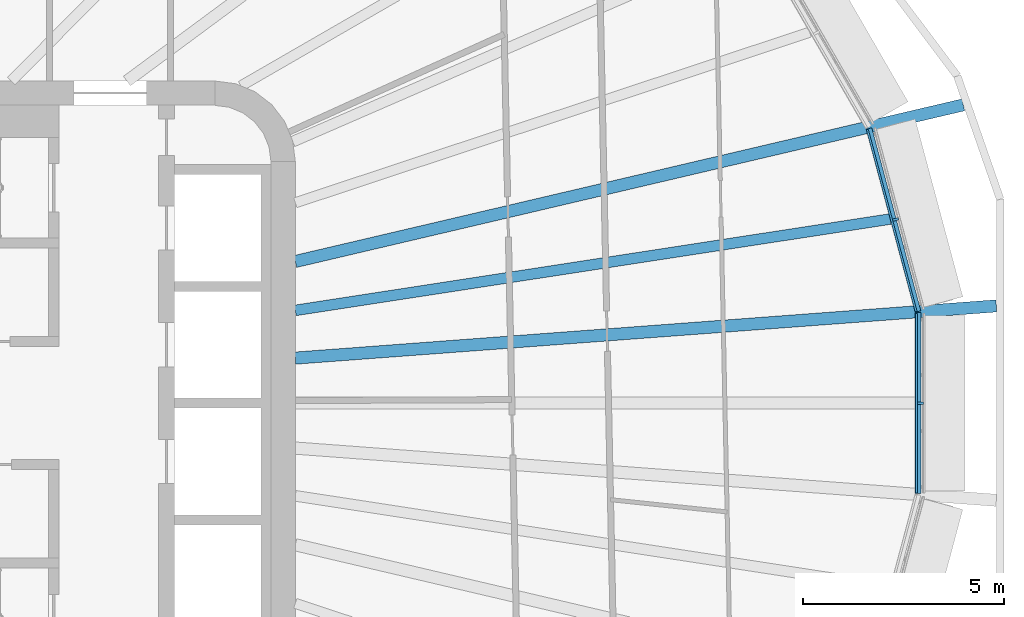
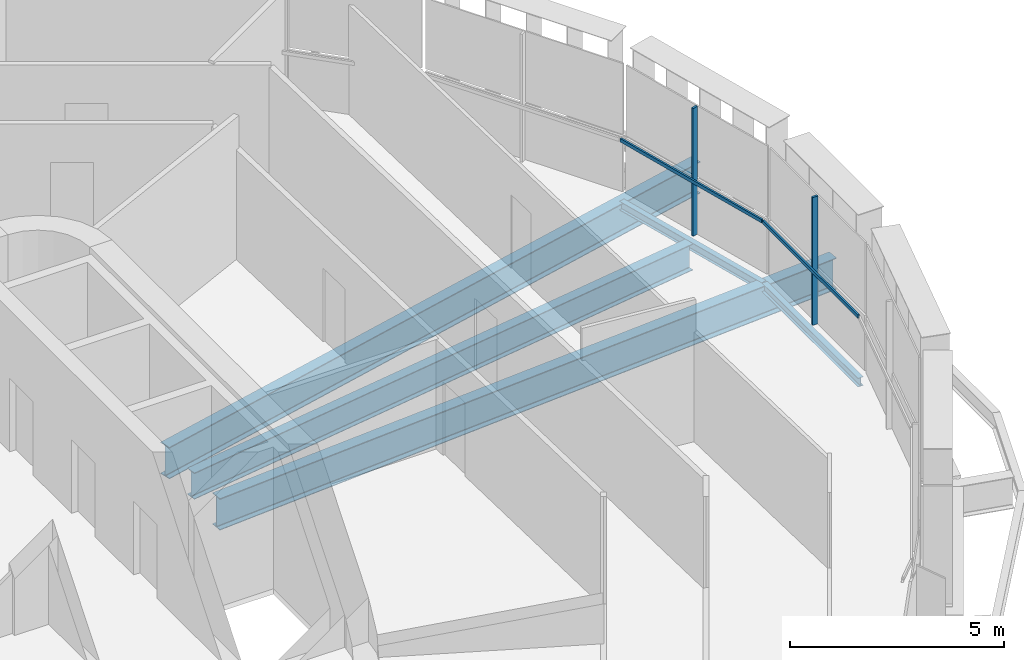
# One storey, part 6 of 24: 5 beams, 4 members, 2 elements without a shape of their own.
"""IFC4 building model written with IfcOpenShell, lengths in metres."""

import ifcopenshell
import ifcopenshell.guid

model = None  # the IFC model being written
_history = None  # IfcOwnerHistory: only IFC2X3 demands one
_inside = {}  # id of a spatial element -> (the spatial element, [elements in it])
_under = {}  # id of a project, library or spatial element -> (it, [spatial elements below it])
_declared = {}  # id of a project -> (the project, [libraries it declares])
_typed = {}  # id of a type object -> (the type object, [elements of that type])
_made_of = {}  # id of a material, layer set ... -> (it, [elements and type objects made of it])


def new_model(schema):
    """Start an empty IFC model of exactly this schema.

    Asked for "IFC4X3", IfcOpenShell would pick the latest addendum, in which some entities
    have other attributes; the version numbers below select the first issue.
    IFC2X3 requires an IfcOwnerHistory on every rooted entity: one is made here for all.
    """
    global model, _history
    if schema == "IFC4X3":
        model = ifcopenshell.file(schema_version=(4, 3, 0, 0))
    else:
        model = ifcopenshell.file(schema=schema)
    _inside.clear()
    _under.clear()
    _declared.clear()
    _typed.clear()
    _made_of.clear()
    _history = None
    if model.schema == "IFC2X3":
        org = make("IfcOrganization", Name="unknown")
        user = make(
            "IfcPersonAndOrganization",
            ThePerson=make("IfcPerson", FamilyName="unknown"),
            TheOrganization=org,
        )
        app = make(
            "IfcApplication",
            ApplicationDeveloper=org,
            Version="unknown",
            ApplicationFullName="unknown",
            ApplicationIdentifier="unknown",
        )
        _history = make(
            "IfcOwnerHistory",
            OwningUser=user,
            OwningApplication=app,
            ChangeAction="ADDED",
            CreationDate=0,
        )
    return model


def make(cls, **values):
    """One entity of the class cls with the attributes given. An attribute that is None is left unset."""
    return model.create_entity(
        cls, **{name: value for name, value in values.items() if value is not None}
    )


def rooted(cls, **values):
    """An entity with a GlobalId (a new one), such as an element, a storey or a relation."""
    return make(cls, GlobalId=ifcopenshell.guid.new(), OwnerHistory=_history, **values)


def si_unit(unit_type, name, prefix=None):
    """IfcSIUnit, for example si_unit("LENGTHUNIT", "METRE", prefix="MILLI")."""
    return make("IfcSIUnit", UnitType=unit_type, Prefix=prefix, Name=name)


def assignment(units):
    """IfcUnitAssignment: the units of a project."""
    return None if units is None else make("IfcUnitAssignment", Units=units)


def point(xyz):
    """IfcCartesianPoint."""
    return None if xyz is None else make("IfcCartesianPoint", Coordinates=xyz)


def direction(xyz):
    """IfcDirection."""
    return None if xyz is None else make("IfcDirection", DirectionRatios=xyz)


def frame(location, z_axis=None, x_axis=None):
    """IfcAxis2Placement3D, a coordinate frame: its origin and axes. An axis left out is left unset."""
    return make(
        "IfcAxis2Placement3D",
        Location=point(location),
        Axis=direction(z_axis),
        RefDirection=direction(x_axis),
    )


def frame_2d(location, x_axis=None):
    """IfcAxis2Placement2D, a coordinate frame in the plane: its origin and x axis."""
    return make(
        "IfcAxis2Placement2D", Location=point(location), RefDirection=direction(x_axis)
    )


def origin():
    """The frame at (0, 0, 0) with its axes left unset."""
    return frame((0.0, 0.0, 0.0))


def origin_2d():
    """The frame at (0, 0) in the plane with its x axis left unset."""
    return frame_2d((0.0, 0.0))


def place(relative_to, where):
    """IfcLocalPlacement: puts the frame where relative to a parent placement (None: the world)."""
    return make(
        "IfcLocalPlacement", PlacementRelTo=relative_to, RelativePlacement=where
    )


def context(
    kind, dimensions, precision=None, world=None, true_north=None, identifier=None
):
    """IfcGeometricRepresentationContext, for example the 3D "Model" context."""
    return make(
        "IfcGeometricRepresentationContext",
        ContextIdentifier=identifier,
        ContextType=kind,
        CoordinateSpaceDimension=dimensions,
        Precision=precision,
        WorldCoordinateSystem=world,
        TrueNorth=true_north,
    )


def subcontext(parent, identifier, kind, view, scale=None):
    """IfcGeometricRepresentationSubContext, for example "Body" below "Model"."""
    return make(
        "IfcGeometricRepresentationSubContext",
        ContextIdentifier=identifier,
        ContextType=kind,
        ParentContext=parent,
        TargetScale=scale,
        TargetView=view,
    )


def project(units=None, contexts=None):
    """IfcProject with its units and contexts."""
    return rooted(
        "IfcProject",
        Name="project",
        RepresentationContexts=contexts,
        UnitsInContext=assignment(units),
    )


def spatial(cls, under=None, at=None, **own):
    """A site, building, storey or space (cls), placed at a placement, below another one or the project."""
    s = rooted(cls, ObjectPlacement=at, **own)
    if under is not None:
        _under.setdefault(under.id(), (under, []))[1].append(s)
    return s


def profile(cls, at=None, kind="AREA", **sizes):
    """A parametric profile (cls). Its sizes go by their IFC names, for example OverallWidth=200.0."""
    return make(cls, ProfileType=kind, Position=at, **sizes)


def rectangle(**sizes):
    """IfcRectangleProfileDef."""
    return profile("IfcRectangleProfileDef", **sizes)


def i_section(**sizes):
    """IfcIShapeProfileDef."""
    return profile("IfcIShapeProfileDef", **sizes)


def extrude(swept, where, along, depth):
    """IfcExtrudedAreaSolid: the profile swept, set in the frame where, extruded along a direction by depth."""
    return make(
        "IfcExtrudedAreaSolid",
        SweptArea=swept,
        Position=where,
        ExtrudedDirection=direction(along),
        Depth=depth,
    )


def shape(context_of_items, identifier, shape_type, items):
    """IfcShapeRepresentation: the items that make up one representation, for example the "Body"."""
    return make(
        "IfcShapeRepresentation",
        ContextOfItems=context_of_items,
        RepresentationIdentifier=identifier,
        RepresentationType=shape_type,
        Items=items,
    )


def material(Name=None, Category=None):
    """IfcMaterial."""
    return make("IfcMaterial", Name=Name, Category=Category)


def layer(
    of_material, thickness, ventilated=None, Name=None, Category=None, Priority=None
):
    """IfcMaterialLayer: one layer of a wall or slab, of a material (None: an air gap)."""
    return make(
        "IfcMaterialLayer",
        Material=of_material,
        LayerThickness=thickness,
        IsVentilated=ventilated,
        Name=Name,
        Category=Category,
        Priority=Priority,
    )


def layer_set(layers, Name=None):
    """IfcMaterialLayerSet."""
    return make("IfcMaterialLayerSet", MaterialLayers=layers, LayerSetName=Name)


def material_profile(
    of_material, cross_section, Name=None, Category=None, Priority=None
):
    """IfcMaterialProfile: a cross section and its material."""
    return make(
        "IfcMaterialProfile",
        Name=Name,
        Material=of_material,
        Profile=cross_section,
        Priority=Priority,
        Category=Category,
    )


def profile_set(profiles, Name=None, composite=None):
    """IfcMaterialProfileSet."""
    return make(
        "IfcMaterialProfileSet",
        Name=Name,
        MaterialProfiles=profiles,
        CompositeProfile=composite,
    )


def made_of(thing, what):
    """Note that an element or type object is made of a material, layer set ...; save() writes the relation."""
    if what is not None:
        _made_of.setdefault(what.id(), (what, []))[1].append(thing)
    return thing


def type_object(cls, material=None, **own):
    """A type object (cls), such as IfcWallType, which elements share."""
    return made_of(rooted(cls, **own), material)


def element(
    cls,
    number,
    at=None,
    inside=None,
    cuts=None,
    type_object=None,
    material=None,
    context=None,
    identifier="Body",
    shape_type=None,
    held_by="IfcProductDefinitionShape",
    body=None,
    shapes=None,
    **own,
):
    """One element of the class cls, such as IfcWall. Its Tag is "e" and its number.

    at: its placement. inside: the storey or other place that contains it. cuts: it is an
    opening in that element (IfcRelVoidsElement). A single representation is given by context,
    identifier, shape_type and body (its items); several are given by shapes. held_by: the class
    of the entity that holds the representations. save() writes the other relations.
    """
    e = rooted(cls, Tag="e%d" % number, ObjectPlacement=at, **own)
    if body is not None:
        shapes = [shape(context, identifier, shape_type, body)]
    if shapes is not None:
        e.Representation = make(held_by, Representations=shapes)
    if inside is not None:
        _inside.setdefault(inside.id(), (inside, []))[1].append(e)
    if cuts is not None:
        rooted(
            "IfcRelVoidsElement", RelatingBuildingElement=cuts, RelatedOpeningElement=e
        )
    if type_object is not None:
        _typed.setdefault(type_object.id(), (type_object, []))[1].append(e)
    return made_of(e, material)


def aggregate(whole, parts):
    """IfcRelAggregates: a whole, such as a stair, and the parts it consists of."""
    return rooted("IfcRelAggregates", RelatingObject=whole, RelatedObjects=parts)


def save(model, path):
    """Write the relations noted so far, then the file.

    IfcRelAggregates (storeys below a building ...), IfcRelContainedInSpatialStructure (elements
    in a storey), IfcRelDefinesByType, IfcRelAssociatesMaterial and IfcRelDeclares: one each for
    every whole, place, type object, material and project.
    """
    for whole, parts in _under.values():
        aggregate(whole, parts)
    for where, things in _inside.values():
        rooted(
            "IfcRelContainedInSpatialStructure",
            RelatedElements=things,
            RelatingStructure=where,
        )
    for kind, things in _typed.values():
        rooted("IfcRelDefinesByType", RelatedObjects=things, RelatingType=kind)
    for what, things in _made_of.values():
        rooted("IfcRelAssociatesMaterial", RelatedObjects=things, RelatingMaterial=what)
    for by, libraries in _declared.values():
        rooted("IfcRelDeclares", RelatingContext=by, RelatedDefinitions=libraries)
    model.write(path)


model = new_model("IFC4")

# Units and contexts
model_context = context("Model", 3, precision=1e-05, world=origin(), true_north=direction((0.0, 1.0)))
body_context = subcontext(model_context, "Body", "Model", "MODEL_VIEW")
ifc_project = project(units=[si_unit("LENGTHUNIT", "METRE"), si_unit("AREAUNIT", "SQUARE_METRE"), si_unit("VOLUMEUNIT", "CUBIC_METRE"), si_unit("PLANEANGLEUNIT", "RADIAN"), si_unit("MASSUNIT", "GRAM", prefix="KILO")], contexts=[model_context])

# Site, building, storey
site_placement = place(None, origin())
site = spatial("IfcSite", under=ifc_project, at=site_placement, CompositionType="ELEMENT")
building_placement = place(site_placement, origin())
building = spatial("IfcBuilding", under=site, at=building_placement, Name="Sahrelin Media Tower", CompositionType="ELEMENT")
storey_placement = place(building_placement, frame((0.0, 0.0, 58.800048828125)))
storey = spatial("IfcBuildingStorey", under=building, at=storey_placement, Name="L09", CompositionType="ELEMENT", Elevation=58.800048828125)

# Beams
ifc_material_1 = material(Name="Steel S355", Category="steel")
ifc_material_profile_1 = material_profile(ifc_material_1, i_section(OverallWidth=0.14599609375, OverallDepth=0.25146484375, WebThickness=0.006103515625, FlangeThickness=0.008544921875, FilletRadius=0.007568359375, at=origin_2d()), Name="UB 254x146x31")
ifc_profile_set_1 = profile_set([ifc_material_profile_1], Name="Steel S355")
beam_type_1 = type_object("IfcBeamType", Name="Edge beam EB1", PredefinedType="BEAM", material=ifc_profile_set_1)
beam_1_placement = place(storey_placement, frame((30.468505859375, 2.24658203125, -0.275634765625), z_axis=(0.0, -1.0, 0.0), x_axis=(1.0, 0.0, 0.0)))
element("IfcBeam", 1, at=beam_1_placement, inside=storey, type_object=beam_type_1, Name="Edge beam L09-01", PredefinedType="BEAM", context=body_context, shape_type="SweptSolid", body=[
    extrude(i_section(OverallWidth=0.14599609375, OverallDepth=0.25146484375, WebThickness=0.006103515625, FlangeThickness=0.008544921875, FilletRadius=0.007568359375, at=origin_2d()), origin(), (0.0, 0.0, 1.0), 4.4931640625),
])
beam_2_placement = place(storey_placement, frame((29.247314453125, 6.818115234375, -0.275634765625), z_axis=(0.258819114227, -0.965925807767, 0.0), x_axis=(0.965925807767, 0.258819114227, 0.0)))
element("IfcBeam", 2, at=beam_2_placement, inside=storey, type_object=beam_type_1, Name="Edge beam L09-24", PredefinedType="BEAM", context=body_context, shape_type="SweptSolid", body=[
    extrude(i_section(OverallWidth=0.14599609375, OverallDepth=0.25146484375, WebThickness=0.006103515625, FlangeThickness=0.008544921875, FilletRadius=0.007568359375, at=origin_2d()), origin(), (0.0, 0.0, 1.0), 4.703125),
])

# Curtain wall, member
ifc_material_2 = material(Name="Champagne anodised aluminium 6063-T6", Category="aluminium")
ifc_layer = layer(ifc_material_2, 0.14990234375)
ifc_layer_set = layer_set([ifc_layer], Name="Tower ribbon curtain wall")
curtain_wall_type = type_object("IfcCurtainWallType", Name="Tower ribbon curtain wall", PredefinedType="NOTDEFINED", material=ifc_layer_set)
curtain_wall_1_placement = place(storey_placement, frame((30.618408203125, 0.0, 0.0), z_axis=(0.0, 0.0, 1.0), x_axis=(1.0, 0.0, 0.0)))
curtain_wall_1 = element("IfcCurtainWall", 3, at=curtain_wall_1_placement, inside=storey, type_object=curtain_wall_type, Name="L09:CW:L09-00", PredefinedType="NOTDEFINED")
ifc_material_profile_2 = material_profile(ifc_material_2, rectangle(XDim=0.06005859375, YDim=0.14990234375, at=origin_2d()), Name="Mullion 60x150")
ifc_profile_set_2 = profile_set([ifc_material_profile_2], Name="Champagne anodised aluminium 6063-T6")
member_type_1 = type_object("IfcMemberType", Name="Mullion 60x150 CW1", PredefinedType="MULLION", material=ifc_profile_set_2)
member_1_placement = place(storey_placement, frame((30.5234375, 0.0, 0.0), z_axis=(0.0, 0.0, 1.0), x_axis=(0.0, 1.0, 0.0)))
member_1 = element("IfcMember", 4, at=member_1_placement, type_object=member_type_1, Name="L09:CWM:L09-00", PredefinedType="MULLION", context=body_context, shape_type="SweptSolid", body=[
    extrude(rectangle(XDim=0.06005859375, YDim=0.14990234375, at=origin_2d()), origin(), (0.0, 0.0, 1.0), 3.6484375),
])

curtain_wall_2_placement = place(storey_placement, frame((30.0009765625, 4.58544921875, 0.0), z_axis=(0.0, 0.0, 1.0), x_axis=(1.0, 0.0, 0.0)))
curtain_wall_2 = element("IfcCurtainWall", 5, at=curtain_wall_2_placement, inside=storey, type_object=curtain_wall_type, Name="L09:CW:L09-01", PredefinedType="NOTDEFINED")
member_2_placement = place(storey_placement, frame((29.9091796875, 4.560791015625, 0.0), z_axis=(0.0, 0.0, 1.0), x_axis=(-0.258817359244, 0.965926278012, 0.0)))
member_2 = element("IfcMember", 6, at=member_2_placement, type_object=member_type_1, Name="L09:CWM:L09-01", PredefinedType="MULLION", context=body_context, shape_type="SweptSolid", body=[
    extrude(rectangle(XDim=0.06005859375, YDim=0.14990234375, at=origin_2d()), origin(), (0.0, 0.0, 1.0), 3.6484375),
])

# Beams
ifc_material_profile_3 = material_profile(ifc_material_1, i_section(OverallWidth=0.30322265625, OverallDepth=0.903076171875, WebThickness=0.01513671875, FlangeThickness=0.020263671875, FilletRadius=0.01904296875, at=origin_2d()), Name="UB 914x305x201")
ifc_profile_set_3 = profile_set([ifc_material_profile_3], Name="Steel S355")
beam_type_2 = type_object("IfcBeamType", Name="Radial primary beam PB11", PredefinedType="BEAM", material=ifc_profile_set_3)
beam_3_placement = place(storey_placement, frame((15.0, 1.117431640625, -0.6015625), z_axis=(0.997237376069, 0.074280655426, 0.0), x_axis=(-0.074280655426, 0.997237376069, 0.0)))
element("IfcBeam", 7, at=beam_3_placement, inside=storey, type_object=beam_type_2, Name="Radial beam L09-01", PredefinedType="BEAM", context=body_context, shape_type="SweptSolid", body=[
    extrude(i_section(OverallWidth=0.30322265625, OverallDepth=0.903076171875, WebThickness=0.01513671875, FlangeThickness=0.020263671875, FilletRadius=0.01904296875, at=origin_2d()), origin(), (0.0, 0.0, 1.0), 17.459228515625),
])
beam_4_placement = place(storey_placement, frame((15.0, 3.517333984375, -0.6015625), z_axis=(0.973594073023, 0.228286182182, 0.0), x_axis=(-0.228286182182, 0.973594073023, 0.0)))
element("IfcBeam", 8, at=beam_4_placement, inside=storey, type_object=beam_type_2, Name="Radial beam L09-02", PredefinedType="BEAM", context=body_context, shape_type="SweptSolid", body=[
    extrude(i_section(OverallWidth=0.30322265625, OverallDepth=0.903076171875, WebThickness=0.01513671875, FlangeThickness=0.020263671875, FilletRadius=0.01904296875, at=origin_2d()), origin(), (0.0, 0.0, 1.0), 17.03955078125),
])
ifc_material_profile_4 = material_profile(ifc_material_1, i_section(OverallWidth=0.26513671875, OverallDepth=0.75390625, WebThickness=0.0126953125, FlangeThickness=0.017578125, FilletRadius=0.0166015625, at=origin_2d()), Name="UB 762x267x147")
ifc_profile_set_4 = profile_set([ifc_material_profile_4], Name="Steel S355")
beam_type_3 = type_object("IfcBeamType", Name="Radial secondary beam SB9", PredefinedType="BEAM", material=ifc_profile_set_4)
beam_5_placement = place(storey_placement, frame((15.0, 2.302978515625, -0.527099609375), z_axis=(0.98841753883, 0.151758917146, 0.0), x_axis=(-0.151758917146, 0.98841753883, 0.0)))
element("IfcBeam", 9, at=beam_5_placement, inside=storey, type_object=beam_type_3, Name="Secondary beam L09-01", PredefinedType="BEAM", context=body_context, shape_type="SweptSolid", body=[
    extrude(i_section(OverallWidth=0.26513671875, OverallDepth=0.75390625, WebThickness=0.0126953125, FlangeThickness=0.017578125, FilletRadius=0.0166015625, at=origin_2d()), origin(), (0.0, 0.0, 1.0), 14.94677734375),
])

# Member
ifc_material_profile_5 = material_profile(ifc_material_2, rectangle(XDim=0.050048828125, YDim=0.10009765625, at=origin_2d()), Name="Transom 50x100")
ifc_profile_set_5 = profile_set([ifc_material_profile_5], Name="Champagne anodised aluminium 6063-T6")
member_type_2 = type_object("IfcMemberType", Name="Transom 50x100 CW1", PredefinedType="USERDEFINED", material=ifc_profile_set_5)
member_3_placement = place(storey_placement, frame((30.42333984375, -2.23095703125, 1.599853515625), z_axis=(0.0, 1.0, 0.0), x_axis=(-1.0, 0.0, 0.0)))
member_3 = element("IfcMember", 10, at=member_3_placement, type_object=member_type_2, Name="L09:CWT:L09-00", ObjectType="TRANSOM", PredefinedType="USERDEFINED", context=body_context, shape_type="SweptSolid", body=[
    extrude(rectangle(XDim=0.050048828125, YDim=0.10009765625, at=origin_2d()), origin(), (0.0, 0.0, 1.0), 4.4619140625),
])

aggregate(curtain_wall_1, [member_1, member_3])

member_4_placement = place(storey_placement, frame((30.4169921875, 2.27880859375, 1.599853515625), z_axis=(-0.258794425044, 0.965932422878, 0.0), x_axis=(-0.965932422878, -0.258794425044, 0.0)))
member_4 = element("IfcMember", 11, at=member_4_placement, type_object=member_type_2, Name="L09:CWT:L09-01", ObjectType="TRANSOM", PredefinedType="USERDEFINED", context=body_context, shape_type="SweptSolid", body=[
    extrude(rectangle(XDim=0.050048828125, YDim=0.10009765625, at=origin_2d()), origin(), (0.0, 0.0, 1.0), 4.671630859375),
])

aggregate(curtain_wall_2, [member_2, member_4])

save(model, "model.ifc")
